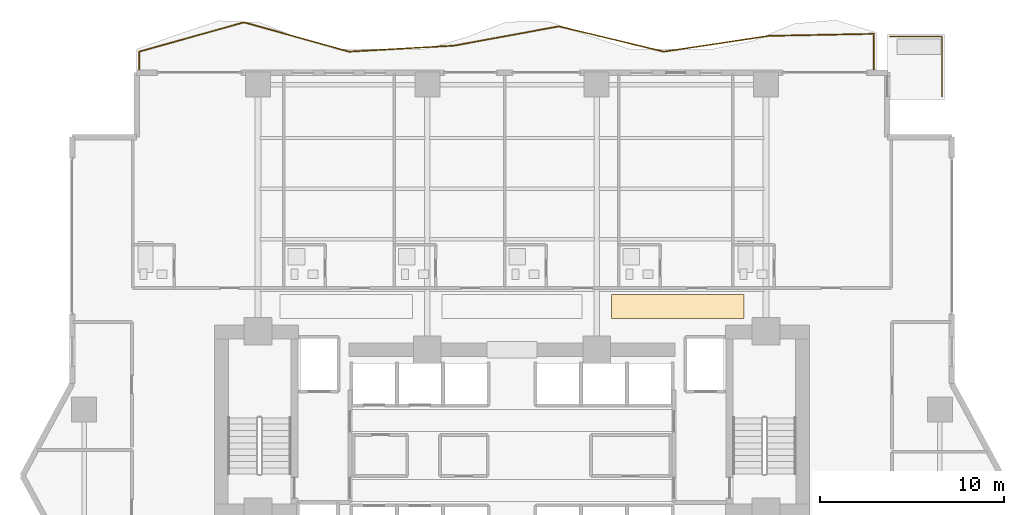
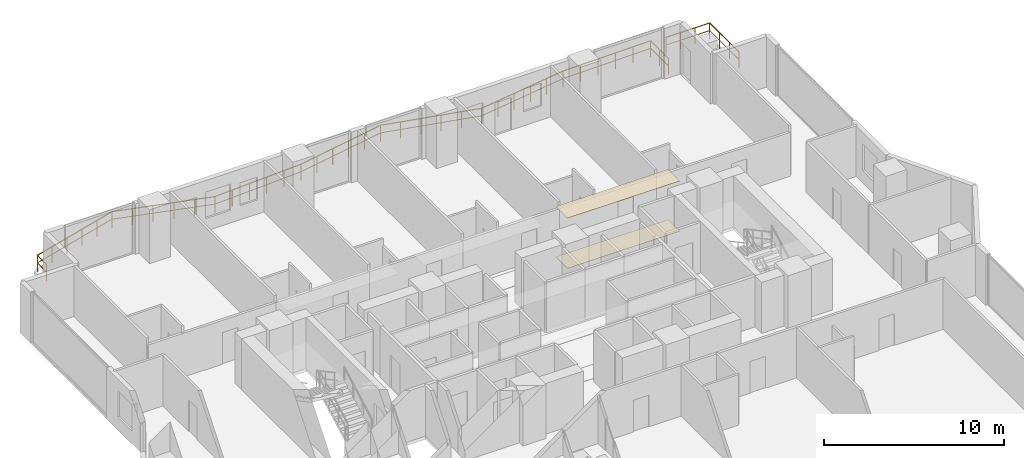
# One storey, part 26 of 27: 2 coverings, 2 railings.
"""IFC4 building model written with IfcOpenShell, lengths in metres."""

import ifcopenshell
import ifcopenshell.guid

model = None  # the IFC model being written
_history = None  # IfcOwnerHistory: only IFC2X3 demands one
_inside = {}  # id of a spatial element -> (the spatial element, [elements in it])
_under = {}  # id of a project, library or spatial element -> (it, [spatial elements below it])
_declared = {}  # id of a project -> (the project, [libraries it declares])
_typed = {}  # id of a type object -> (the type object, [elements of that type])
_made_of = {}  # id of a material, layer set ... -> (it, [elements and type objects made of it])


def new_model(schema):
    """Start an empty IFC model of exactly this schema.

    Asked for "IFC4X3", IfcOpenShell would pick the latest addendum, in which some entities
    have other attributes; the version numbers below select the first issue.
    IFC2X3 requires an IfcOwnerHistory on every rooted entity: one is made here for all.
    """
    global model, _history
    if schema == "IFC4X3":
        model = ifcopenshell.file(schema_version=(4, 3, 0, 0))
    else:
        model = ifcopenshell.file(schema=schema)
    _inside.clear()
    _under.clear()
    _declared.clear()
    _typed.clear()
    _made_of.clear()
    _history = None
    if model.schema == "IFC2X3":
        org = make("IfcOrganization", Name="unknown")
        user = make(
            "IfcPersonAndOrganization",
            ThePerson=make("IfcPerson", FamilyName="unknown"),
            TheOrganization=org,
        )
        app = make(
            "IfcApplication",
            ApplicationDeveloper=org,
            Version="unknown",
            ApplicationFullName="unknown",
            ApplicationIdentifier="unknown",
        )
        _history = make(
            "IfcOwnerHistory",
            OwningUser=user,
            OwningApplication=app,
            ChangeAction="ADDED",
            CreationDate=0,
        )
    return model


def make(cls, **values):
    """One entity of the class cls with the attributes given. An attribute that is None is left unset."""
    return model.create_entity(
        cls, **{name: value for name, value in values.items() if value is not None}
    )


def rooted(cls, **values):
    """An entity with a GlobalId (a new one), such as an element, a storey or a relation."""
    return make(cls, GlobalId=ifcopenshell.guid.new(), OwnerHistory=_history, **values)


def si_unit(unit_type, name, prefix=None):
    """IfcSIUnit, for example si_unit("LENGTHUNIT", "METRE", prefix="MILLI")."""
    return make("IfcSIUnit", UnitType=unit_type, Prefix=prefix, Name=name)


def assignment(units):
    """IfcUnitAssignment: the units of a project."""
    return None if units is None else make("IfcUnitAssignment", Units=units)


def point(xyz):
    """IfcCartesianPoint."""
    return None if xyz is None else make("IfcCartesianPoint", Coordinates=xyz)


def direction(xyz):
    """IfcDirection."""
    return None if xyz is None else make("IfcDirection", DirectionRatios=xyz)


def frame(location, z_axis=None, x_axis=None):
    """IfcAxis2Placement3D, a coordinate frame: its origin and axes. An axis left out is left unset."""
    return make(
        "IfcAxis2Placement3D",
        Location=point(location),
        Axis=direction(z_axis),
        RefDirection=direction(x_axis),
    )


def frame_2d(location, x_axis=None):
    """IfcAxis2Placement2D, a coordinate frame in the plane: its origin and x axis."""
    return make(
        "IfcAxis2Placement2D", Location=point(location), RefDirection=direction(x_axis)
    )


def origin():
    """The frame at (0, 0, 0) with its axes left unset."""
    return frame((0.0, 0.0, 0.0))


def origin_2d():
    """The frame at (0, 0) in the plane with its x axis left unset."""
    return frame_2d((0.0, 0.0))


def place(relative_to, where):
    """IfcLocalPlacement: puts the frame where relative to a parent placement (None: the world)."""
    return make(
        "IfcLocalPlacement", PlacementRelTo=relative_to, RelativePlacement=where
    )


def context(
    kind, dimensions, precision=None, world=None, true_north=None, identifier=None
):
    """IfcGeometricRepresentationContext, for example the 3D "Model" context."""
    return make(
        "IfcGeometricRepresentationContext",
        ContextIdentifier=identifier,
        ContextType=kind,
        CoordinateSpaceDimension=dimensions,
        Precision=precision,
        WorldCoordinateSystem=world,
        TrueNorth=true_north,
    )


def subcontext(parent, identifier, kind, view, scale=None):
    """IfcGeometricRepresentationSubContext, for example "Body" below "Model"."""
    return make(
        "IfcGeometricRepresentationSubContext",
        ContextIdentifier=identifier,
        ContextType=kind,
        ParentContext=parent,
        TargetScale=scale,
        TargetView=view,
    )


def project(units=None, contexts=None):
    """IfcProject with its units and contexts."""
    return rooted(
        "IfcProject",
        Name="project",
        RepresentationContexts=contexts,
        UnitsInContext=assignment(units),
    )


def spatial(cls, under=None, at=None, **own):
    """A site, building, storey or space (cls), placed at a placement, below another one or the project."""
    s = rooted(cls, ObjectPlacement=at, **own)
    if under is not None:
        _under.setdefault(under.id(), (under, []))[1].append(s)
    return s


def polyline(points):
    """IfcPolyline through the points."""
    return make("IfcPolyline", Points=[point(p) for p in points])


def profile(cls, at=None, kind="AREA", **sizes):
    """A parametric profile (cls). Its sizes go by their IFC names, for example OverallWidth=200.0."""
    return make(cls, ProfileType=kind, Position=at, **sizes)


def rectangle(**sizes):
    """IfcRectangleProfileDef."""
    return profile("IfcRectangleProfileDef", **sizes)


def outline(outer, holes=None, kind="AREA"):
    """IfcArbitraryClosedProfileDef: a profile drawn as a closed curve; with holes, ...WithVoids."""
    if holes is None:
        return make("IfcArbitraryClosedProfileDef", ProfileType=kind, OuterCurve=outer)
    return make(
        "IfcArbitraryProfileDefWithVoids",
        ProfileType=kind,
        OuterCurve=outer,
        InnerCurves=holes,
    )


def extrude(swept, where, along, depth):
    """IfcExtrudedAreaSolid: the profile swept, set in the frame where, extruded along a direction by depth."""
    return make(
        "IfcExtrudedAreaSolid",
        SweptArea=swept,
        Position=where,
        ExtrudedDirection=direction(along),
        Depth=depth,
    )


def shape(context_of_items, identifier, shape_type, items):
    """IfcShapeRepresentation: the items that make up one representation, for example the "Body"."""
    return make(
        "IfcShapeRepresentation",
        ContextOfItems=context_of_items,
        RepresentationIdentifier=identifier,
        RepresentationType=shape_type,
        Items=items,
    )


def material(Name=None, Category=None):
    """IfcMaterial."""
    return make("IfcMaterial", Name=Name, Category=Category)


def layer(
    of_material, thickness, ventilated=None, Name=None, Category=None, Priority=None
):
    """IfcMaterialLayer: one layer of a wall or slab, of a material (None: an air gap)."""
    return make(
        "IfcMaterialLayer",
        Material=of_material,
        LayerThickness=thickness,
        IsVentilated=ventilated,
        Name=Name,
        Category=Category,
        Priority=Priority,
    )


def layer_set(layers, Name=None):
    """IfcMaterialLayerSet."""
    return make("IfcMaterialLayerSet", MaterialLayers=layers, LayerSetName=Name)


def made_of(thing, what):
    """Note that an element or type object is made of a material, layer set ...; save() writes the relation."""
    if what is not None:
        _made_of.setdefault(what.id(), (what, []))[1].append(thing)
    return thing


def type_object(cls, material=None, **own):
    """A type object (cls), such as IfcWallType, which elements share."""
    return made_of(rooted(cls, **own), material)


def element(
    cls,
    number,
    at=None,
    inside=None,
    cuts=None,
    type_object=None,
    material=None,
    context=None,
    identifier="Body",
    shape_type=None,
    held_by="IfcProductDefinitionShape",
    body=None,
    shapes=None,
    **own,
):
    """One element of the class cls, such as IfcWall. Its Tag is "e" and its number.

    at: its placement. inside: the storey or other place that contains it. cuts: it is an
    opening in that element (IfcRelVoidsElement). A single representation is given by context,
    identifier, shape_type and body (its items); several are given by shapes. held_by: the class
    of the entity that holds the representations. save() writes the other relations.
    """
    e = rooted(cls, Tag="e%d" % number, ObjectPlacement=at, **own)
    if body is not None:
        shapes = [shape(context, identifier, shape_type, body)]
    if shapes is not None:
        e.Representation = make(held_by, Representations=shapes)
    if inside is not None:
        _inside.setdefault(inside.id(), (inside, []))[1].append(e)
    if cuts is not None:
        rooted(
            "IfcRelVoidsElement", RelatingBuildingElement=cuts, RelatedOpeningElement=e
        )
    if type_object is not None:
        _typed.setdefault(type_object.id(), (type_object, []))[1].append(e)
    return made_of(e, material)


def aggregate(whole, parts):
    """IfcRelAggregates: a whole, such as a stair, and the parts it consists of."""
    return rooted("IfcRelAggregates", RelatingObject=whole, RelatedObjects=parts)


def save(model, path):
    """Write the relations noted so far, then the file.

    IfcRelAggregates (storeys below a building ...), IfcRelContainedInSpatialStructure (elements
    in a storey), IfcRelDefinesByType, IfcRelAssociatesMaterial and IfcRelDeclares: one each for
    every whole, place, type object, material and project.
    """
    for whole, parts in _under.values():
        aggregate(whole, parts)
    for where, things in _inside.values():
        rooted(
            "IfcRelContainedInSpatialStructure",
            RelatedElements=things,
            RelatingStructure=where,
        )
    for kind, things in _typed.values():
        rooted("IfcRelDefinesByType", RelatedObjects=things, RelatingType=kind)
    for what, things in _made_of.values():
        rooted("IfcRelAssociatesMaterial", RelatedObjects=things, RelatingMaterial=what)
    for by, libraries in _declared.values():
        rooted("IfcRelDeclares", RelatingContext=by, RelatedDefinitions=libraries)
    model.write(path)


model = new_model("IFC4")

# Units and contexts
model_context = context("Model", 3, precision=1e-05, world=origin(), true_north=direction((0.0, 1.0)))
body_context = subcontext(model_context, "Body", "Model", "MODEL_VIEW")
ifc_project = project(units=[si_unit("LENGTHUNIT", "METRE"), si_unit("AREAUNIT", "SQUARE_METRE"), si_unit("VOLUMEUNIT", "CUBIC_METRE"), si_unit("PLANEANGLEUNIT", "RADIAN"), si_unit("MASSUNIT", "GRAM", prefix="KILO")], contexts=[model_context])

# Site, building, storey
site_placement = place(None, origin())
site = spatial("IfcSite", under=ifc_project, at=site_placement, CompositionType="ELEMENT")
building_placement = place(site_placement, origin())
building = spatial("IfcBuilding", under=site, at=building_placement, Name="Zuhayl Quay Hotel", CompositionType="ELEMENT")
storey_placement = place(building_placement, frame((0.0, 0.0, 102.949951171875)))
storey = spatial("IfcBuildingStorey", under=building, at=storey_placement, Name="L25", CompositionType="ELEMENT", Elevation=102.949951171875)

# Coverings
ifc_material_1 = material(Name="Acoustic Mineral-Fibre Gypsum Board")
ifc_layer_1 = layer(ifc_material_1, 0.02490234375, Name="Acoustic Mineral-Fibre Gypsum Board")
ifc_layer_set_1 = layer_set([ifc_layer_1], Name="Acoustic Mineral-Fibre Gypsum Board")
covering_type_1 = type_object("IfcCoveringType", Name="CV_CEIL_ACOUSTIC", PredefinedType="CEILING", material=ifc_layer_set_1)
covering_1_placement = place(storey_placement, frame((0.0, 0.0, 3.405029296875)))
element("IfcCovering", 1, at=covering_1_placement, inside=storey, type_object=covering_type_1, Name="L25 Guest Corridor Acoustic Ceiling CE", PredefinedType="CEILING", context=body_context, shape_type="SweptSolid", body=[
    extrude(outline(polyline([(5.39990234375, 15.050048828125), (12.60009765625, 15.050048828125), (12.60009765625, 16.35009765625), (5.39990234375, 16.35009765625), (5.39990234375, 15.050048828125)])), origin(), (0.0, 0.0, 1.0), 0.02490234375),
])
ifc_material_2 = material(Name="Polished Limestone Terrazzo", Category="masonry")
ifc_layer_2 = layer(ifc_material_2, 0.02001953125, Name="Polished Limestone Terrazzo", Category="masonry")
ifc_layer_set_2 = layer_set([ifc_layer_2], Name="Polished Limestone Terrazzo")
covering_type_2 = type_object("IfcCoveringType", Name="CV_FLOOR_TERRAZZO", PredefinedType="FLOORING", material=ifc_layer_set_2)
covering_2_placement = place(storey_placement, origin())
element("IfcCovering", 2, at=covering_2_placement, inside=storey, type_object=covering_type_2, Name="L25 Guest Corridor Terrazzo Runner CE", PredefinedType="FLOORING", context=body_context, shape_type="SweptSolid", body=[
    extrude(outline(polyline([(5.39990234375, 15.050048828125), (12.60009765625, 15.050048828125), (12.60009765625, 16.35009765625), (5.39990234375, 16.35009765625), (5.39990234375, 15.050048828125)])), origin(), (0.0, 0.0, 1.0), 0.02001953125),
])

# Railings
ifc_material_3 = material(Name="Anodised Aluminium and Laminated Glass", Category="aluminium")
railing_type = type_object("IfcRailingType", Name="RL_EXT_BAL_1100", PredefinedType="BALUSTRADE", material=ifc_material_3)
railing_1_placement = place(storey_placement, frame((-20.260009765625, 28.52001953125, 0.0)))
element("IfcRailing", 3, at=railing_1_placement, inside=storey, type_object=railing_type, Name="L25 Balcony and Terrace Guard GR_L25_BAL_N", PredefinedType="BALUSTRADE", context=body_context, shape_type="SweptSolid", body=[
    extrude(rectangle(XDim=0.048095703125, YDim=0.048095703125, at=origin_2d()), frame((0.0, 0.0, 1.09619140625), z_axis=(0.0, 1.0, 0.0), x_axis=(-1.0, 0.0, 0.0)), (0.0, 0.0, 1.0), 1.02001953125),
    extrude(rectangle(XDim=0.0361328125, YDim=0.0361328125, at=origin_2d()), frame((0.0, 0.0, 0.58251953125), z_axis=(0.0, 1.0, 0.0), x_axis=(-1.0, 0.0, 0.0)), (0.0, 0.0, 1.0), 1.02001953125),
    extrude(rectangle(XDim=0.048095703125, YDim=0.048095703125, at=origin_2d()), frame((0.0, 1.02001953125, 1.09619140625), z_axis=(0.963044475354, 0.26934241866, 0.0), x_axis=(-0.26934241866, 0.963044475354, 0.0)), (0.0, 0.0, 1.0), 5.921630859375),
    extrude(rectangle(XDim=0.0361328125, YDim=0.0361328125, at=origin_2d()), frame((0.0, 1.02001953125, 0.58251953125), z_axis=(0.963044475354, 0.26934241866, 0.0), x_axis=(-0.26934241866, 0.963044475354, 0.0)), (0.0, 0.0, 1.0), 5.921630859375),
    extrude(rectangle(XDim=0.048095703125, YDim=0.048095703125, at=origin_2d()), frame((5.702880859375, 2.614990234375, 1.09619140625), z_axis=(0.963044475354, -0.26934241866, 0.0), x_axis=(0.26934241866, 0.963044475354, 0.0)), (0.0, 0.0, 1.0), 5.921630859375),
    extrude(rectangle(XDim=0.0361328125, YDim=0.0361328125, at=origin_2d()), frame((5.702880859375, 2.614990234375, 0.58251953125), z_axis=(0.963044475354, -0.26934241866, 0.0), x_axis=(0.26934241866, 0.963044475354, 0.0)), (0.0, 0.0, 1.0), 5.921630859375),
    extrude(rectangle(XDim=0.048095703125, YDim=0.048095703125, at=origin_2d()), frame((11.40576171875, 1.02001953125, 1.09619140625), z_axis=(0.998346410059, 0.057484306757, 0.0), x_axis=(-0.057484306757, 0.998346410059, 0.0)), (0.0, 0.0, 1.0), 5.71240234375),
    extrude(rectangle(XDim=0.0361328125, YDim=0.0361328125, at=origin_2d()), frame((11.40576171875, 1.02001953125, 0.58251953125), z_axis=(0.998346410059, 0.057484306757, 0.0), x_axis=(-0.057484306757, 0.998346410059, 0.0)), (0.0, 0.0, 1.0), 5.71240234375),
    extrude(rectangle(XDim=0.048095703125, YDim=0.048095703125, at=origin_2d()), frame((17.108642578125, 1.348388671875, 1.09619140625), z_axis=(0.98354289094, 0.180674795369, 0.0), x_axis=(-0.180674795369, 0.98354289094, 0.0)), (0.0, 0.0, 1.0), 5.79833984375),
    extrude(rectangle(XDim=0.0361328125, YDim=0.0361328125, at=origin_2d()), frame((17.108642578125, 1.348388671875, 0.58251953125), z_axis=(0.98354289094, 0.180674795369, 0.0), x_axis=(-0.180674795369, 0.98354289094, 0.0)), (0.0, 0.0, 1.0), 5.79833984375),
    extrude(rectangle(XDim=0.048095703125, YDim=0.048095703125, at=origin_2d()), frame((22.8115234375, 2.39599609375, 1.09619140625), z_axis=(0.972104788855, -0.234546966479, 0.0), x_axis=(0.234546966479, 0.972104788855, 0.0)), (0.0, 0.0, 1.0), 5.866455078125),
    extrude(rectangle(XDim=0.0361328125, YDim=0.0361328125, at=origin_2d()), frame((22.8115234375, 2.39599609375, 0.58251953125), z_axis=(0.972104788855, -0.234546966479, 0.0), x_axis=(0.234546966479, 0.972104788855, 0.0)), (0.0, 0.0, 1.0), 5.866455078125),
    extrude(rectangle(XDim=0.048095703125, YDim=0.048095703125, at=origin_2d()), frame((28.514404296875, 1.02001953125, 1.09619140625), z_axis=(0.988841131035, 0.148973882186, 0.0), x_axis=(-0.148973882186, 0.988841131035, 0.0)), (0.0, 0.0, 1.0), 5.76708984375),
    extrude(rectangle(XDim=0.0361328125, YDim=0.0361328125, at=origin_2d()), frame((28.514404296875, 1.02001953125, 0.58251953125), z_axis=(0.988841131035, 0.148973882186, 0.0), x_axis=(-0.148973882186, 0.988841131035, 0.0)), (0.0, 0.0, 1.0), 5.76708984375),
    extrude(rectangle(XDim=0.048095703125, YDim=0.048095703125, at=origin_2d()), frame((34.217041015625, 1.879150390625, 1.09619140625), z_axis=(0.999813665533, 0.01930373574, 0.0), x_axis=(-0.01930373574, 0.999813665533, 0.0)), (0.0, 0.0, 1.0), 5.703857421875),
    extrude(rectangle(XDim=0.0361328125, YDim=0.0361328125, at=origin_2d()), frame((34.217041015625, 1.879150390625, 0.58251953125), z_axis=(0.999813665533, 0.01930373574, 0.0), x_axis=(-0.01930373574, 0.999813665533, 0.0)), (0.0, 0.0, 1.0), 5.703857421875),
    extrude(rectangle(XDim=0.048095703125, YDim=0.048095703125, at=origin_2d()), frame((39.919921875, 1.9892578125, 1.09619140625), z_axis=(0.0, -1.0, 0.0), x_axis=(1.0, 0.0, 0.0)), (0.0, 0.0, 1.0), 1.9892578125),
    extrude(rectangle(XDim=0.0361328125, YDim=0.0361328125, at=origin_2d()), frame((39.919921875, 1.9892578125, 0.58251953125), z_axis=(0.0, -1.0, 0.0), x_axis=(1.0, 0.0, 0.0)), (0.0, 0.0, 1.0), 1.9892578125),
    extrude(rectangle(XDim=0.0419921875, YDim=0.0419921875, at=origin_2d()), origin(), (0.0, 0.0, 1.0), 1.072021484375),
    extrude(rectangle(XDim=0.0419921875, YDim=0.0419921875, at=origin_2d()), frame((0.0, 1.02001953125, 0.0)), (0.0, 0.0, 1.0), 1.072021484375),
    extrude(rectangle(XDim=0.0419921875, YDim=0.0419921875, at=origin_2d()), frame((1.140625, 1.339111328125, 0.0)), (0.0, 0.0, 1.0), 1.072021484375),
    extrude(rectangle(XDim=0.0419921875, YDim=0.0419921875, at=origin_2d()), frame((2.28125, 1.657958984375, 0.0)), (0.0, 0.0, 1.0), 1.072021484375),
    extrude(rectangle(XDim=0.0419921875, YDim=0.0419921875, at=origin_2d()), frame((3.421630859375, 1.97705078125, 0.0)), (0.0, 0.0, 1.0), 1.072021484375),
    extrude(rectangle(XDim=0.0419921875, YDim=0.0419921875, at=origin_2d()), frame((4.562255859375, 2.2958984375, 0.0)), (0.0, 0.0, 1.0), 1.072021484375),
    extrude(rectangle(XDim=0.0419921875, YDim=0.0419921875, at=origin_2d()), frame((5.702880859375, 2.614990234375, 0.0)), (0.0, 0.0, 1.0), 1.072021484375),
    extrude(rectangle(XDim=0.0419921875, YDim=0.0419921875, at=origin_2d()), frame((6.843505859375, 2.2958984375, 0.0)), (0.0, 0.0, 1.0), 1.072021484375),
    extrude(rectangle(XDim=0.0419921875, YDim=0.0419921875, at=origin_2d()), frame((7.984130859375, 1.97705078125, 0.0)), (0.0, 0.0, 1.0), 1.072021484375),
    extrude(rectangle(XDim=0.0419921875, YDim=0.0419921875, at=origin_2d()), frame((9.12451171875, 1.657958984375, 0.0)), (0.0, 0.0, 1.0), 1.072021484375),
    extrude(rectangle(XDim=0.0419921875, YDim=0.0419921875, at=origin_2d()), frame((10.26513671875, 1.339111328125, 0.0)), (0.0, 0.0, 1.0), 1.072021484375),
    extrude(rectangle(XDim=0.0419921875, YDim=0.0419921875, at=origin_2d()), frame((11.40576171875, 1.02001953125, 0.0)), (0.0, 0.0, 1.0), 1.072021484375),
    extrude(rectangle(XDim=0.0419921875, YDim=0.0419921875, at=origin_2d()), frame((12.54638671875, 1.085693359375, 0.0)), (0.0, 0.0, 1.0), 1.072021484375),
    extrude(rectangle(XDim=0.0419921875, YDim=0.0419921875, at=origin_2d()), frame((13.68701171875, 1.1513671875, 0.0)), (0.0, 0.0, 1.0), 1.072021484375),
    extrude(rectangle(XDim=0.0419921875, YDim=0.0419921875, at=origin_2d()), frame((14.827392578125, 1.217041015625, 0.0)), (0.0, 0.0, 1.0), 1.072021484375),
    extrude(rectangle(XDim=0.0419921875, YDim=0.0419921875, at=origin_2d()), frame((15.968017578125, 1.28271484375, 0.0)), (0.0, 0.0, 1.0), 1.072021484375),
    extrude(rectangle(XDim=0.0419921875, YDim=0.0419921875, at=origin_2d()), frame((17.108642578125, 1.348388671875, 0.0)), (0.0, 0.0, 1.0), 1.072021484375),
    extrude(rectangle(XDim=0.0419921875, YDim=0.0419921875, at=origin_2d()), frame((18.249267578125, 1.557861328125, 0.0)), (0.0, 0.0, 1.0), 1.072021484375),
    extrude(rectangle(XDim=0.0419921875, YDim=0.0419921875, at=origin_2d()), frame((19.389892578125, 1.767333984375, 0.0)), (0.0, 0.0, 1.0), 1.072021484375),
    extrude(rectangle(XDim=0.0419921875, YDim=0.0419921875, at=origin_2d()), frame((20.5302734375, 1.97705078125, 0.0)), (0.0, 0.0, 1.0), 1.072021484375),
    extrude(rectangle(XDim=0.0419921875, YDim=0.0419921875, at=origin_2d()), frame((21.6708984375, 2.1865234375, 0.0)), (0.0, 0.0, 1.0), 1.072021484375),
    extrude(rectangle(XDim=0.0419921875, YDim=0.0419921875, at=origin_2d()), frame((22.8115234375, 2.39599609375, 0.0)), (0.0, 0.0, 1.0), 1.072021484375),
    extrude(rectangle(XDim=0.0419921875, YDim=0.0419921875, at=origin_2d()), frame((23.9521484375, 2.120849609375, 0.0)), (0.0, 0.0, 1.0), 1.072021484375),
    extrude(rectangle(XDim=0.0419921875, YDim=0.0419921875, at=origin_2d()), frame((25.0927734375, 1.845703125, 0.0)), (0.0, 0.0, 1.0), 1.072021484375),
    extrude(rectangle(XDim=0.0419921875, YDim=0.0419921875, at=origin_2d()), frame((26.233154296875, 1.5703125, 0.0)), (0.0, 0.0, 1.0), 1.072021484375),
    extrude(rectangle(XDim=0.0419921875, YDim=0.0419921875, at=origin_2d()), frame((27.373779296875, 1.295166015625, 0.0)), (0.0, 0.0, 1.0), 1.072021484375),
    extrude(rectangle(XDim=0.0419921875, YDim=0.0419921875, at=origin_2d()), frame((28.514404296875, 1.02001953125, 0.0)), (0.0, 0.0, 1.0), 1.072021484375),
    extrude(rectangle(XDim=0.0419921875, YDim=0.0419921875, at=origin_2d()), frame((29.655029296875, 1.19189453125, 0.0)), (0.0, 0.0, 1.0), 1.072021484375),
    extrude(rectangle(XDim=0.0419921875, YDim=0.0419921875, at=origin_2d()), frame((30.79541015625, 1.36376953125, 0.0)), (0.0, 0.0, 1.0), 1.072021484375),
    extrude(rectangle(XDim=0.0419921875, YDim=0.0419921875, at=origin_2d()), frame((31.93603515625, 1.535400390625, 0.0)), (0.0, 0.0, 1.0), 1.072021484375),
    extrude(rectangle(XDim=0.0419921875, YDim=0.0419921875, at=origin_2d()), frame((33.076416015625, 1.707275390625, 0.0)), (0.0, 0.0, 1.0), 1.072021484375),
    extrude(rectangle(XDim=0.0419921875, YDim=0.0419921875, at=origin_2d()), frame((34.217041015625, 1.879150390625, 0.0)), (0.0, 0.0, 1.0), 1.072021484375),
    extrude(rectangle(XDim=0.0419921875, YDim=0.0419921875, at=origin_2d()), frame((35.357666015625, 1.901123046875, 0.0)), (0.0, 0.0, 1.0), 1.072021484375),
    extrude(rectangle(XDim=0.0419921875, YDim=0.0419921875, at=origin_2d()), frame((36.498291015625, 1.923095703125, 0.0)), (0.0, 0.0, 1.0), 1.072021484375),
    extrude(rectangle(XDim=0.0419921875, YDim=0.0419921875, at=origin_2d()), frame((37.638671875, 1.9453125, 0.0)), (0.0, 0.0, 1.0), 1.072021484375),
    extrude(rectangle(XDim=0.0419921875, YDim=0.0419921875, at=origin_2d()), frame((38.779296875, 1.96728515625, 0.0)), (0.0, 0.0, 1.0), 1.072021484375),
    extrude(rectangle(XDim=0.0419921875, YDim=0.0419921875, at=origin_2d()), frame((39.919921875, 1.9892578125, 0.0)), (0.0, 0.0, 1.0), 1.072021484375),
    extrude(rectangle(XDim=0.0419921875, YDim=0.0419921875, at=origin_2d()), frame((39.919921875, 0.99462890625, 0.0)), (0.0, 0.0, 1.0), 1.072021484375),
    extrude(rectangle(XDim=0.0419921875, YDim=0.0419921875, at=origin_2d()), frame((39.919921875, 0.0, 0.0)), (0.0, 0.0, 1.0), 1.072021484375),
])
railing_2_placement = place(storey_placement, frame((23.360107421875, 27.090087890625, 0.0)))
element("IfcRailing", 4, at=railing_2_placement, inside=storey, type_object=railing_type, Name="L25 Balcony and Terrace Guard GR_L25_SPIRAL_NE", PredefinedType="BALUSTRADE", context=body_context, shape_type="SweptSolid", body=[
    extrude(rectangle(XDim=0.048095703125, YDim=0.048095703125, at=origin_2d()), frame((0.0, 0.0, 1.09619140625), z_axis=(0.0, 1.0, 0.0), x_axis=(-1.0, 0.0, 0.0)), (0.0, 0.0, 1.0), 3.27001953125),
    extrude(rectangle(XDim=0.0361328125, YDim=0.0361328125, at=origin_2d()), frame((0.0, 0.0, 0.58251953125), z_axis=(0.0, 1.0, 0.0), x_axis=(-1.0, 0.0, 0.0)), (0.0, 0.0, 1.0), 3.27001953125),
    extrude(rectangle(XDim=0.048095703125, YDim=0.048095703125, at=origin_2d()), frame((0.0, 3.27001953125, 1.09619140625), z_axis=(-1.0, 0.0, 0.0), x_axis=(0.0, -1.0, 0.0)), (0.0, 0.0, 1.0), 2.820068359375),
    extrude(rectangle(XDim=0.0361328125, YDim=0.0361328125, at=origin_2d()), frame((0.0, 3.27001953125, 0.58251953125), z_axis=(-1.0, 0.0, 0.0), x_axis=(0.0, -1.0, 0.0)), (0.0, 0.0, 1.0), 2.820068359375),
    extrude(rectangle(XDim=0.0419921875, YDim=0.0419921875, at=origin_2d()), origin(), (0.0, 0.0, 1.0), 1.072021484375),
    extrude(rectangle(XDim=0.0419921875, YDim=0.0419921875, at=origin_2d()), frame((0.0, 1.090087890625, 0.0)), (0.0, 0.0, 1.0), 1.072021484375),
    extrude(rectangle(XDim=0.0419921875, YDim=0.0419921875, at=origin_2d()), frame((0.0, 2.179931640625, 0.0)), (0.0, 0.0, 1.0), 1.072021484375),
    extrude(rectangle(XDim=0.0419921875, YDim=0.0419921875, at=origin_2d()), frame((0.0, 3.27001953125, 0.0)), (0.0, 0.0, 1.0), 1.072021484375),
    extrude(rectangle(XDim=0.0419921875, YDim=0.0419921875, at=origin_2d()), frame((-0.93994140625, 3.27001953125, 0.0)), (0.0, 0.0, 1.0), 1.072021484375),
    extrude(rectangle(XDim=0.0419921875, YDim=0.0419921875, at=origin_2d()), frame((-1.880126953125, 3.27001953125, 0.0)), (0.0, 0.0, 1.0), 1.072021484375),
    extrude(rectangle(XDim=0.0419921875, YDim=0.0419921875, at=origin_2d()), frame((-2.820068359375, 3.27001953125, 0.0)), (0.0, 0.0, 1.0), 1.072021484375),
])

save(model, "model.ifc")
